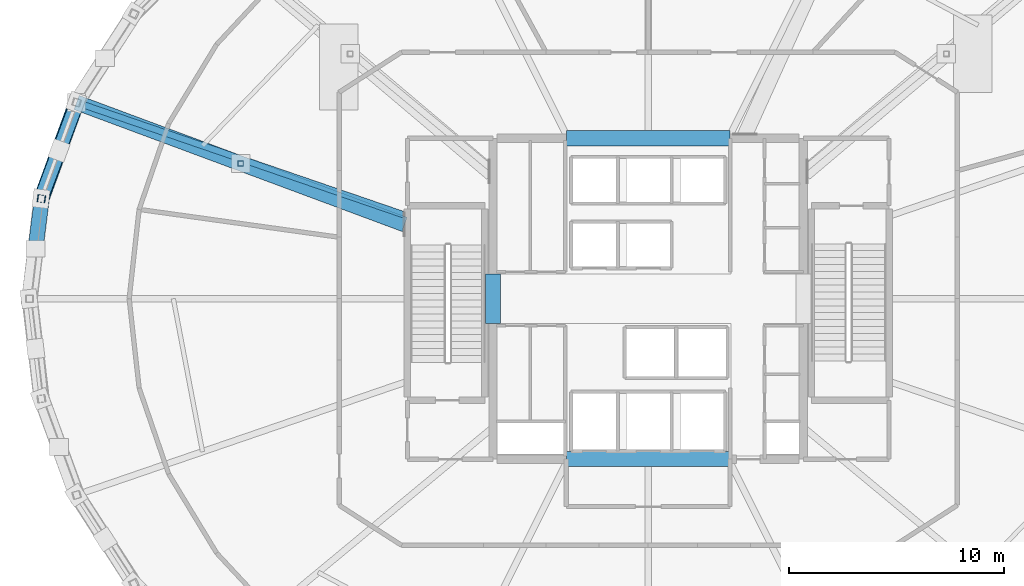
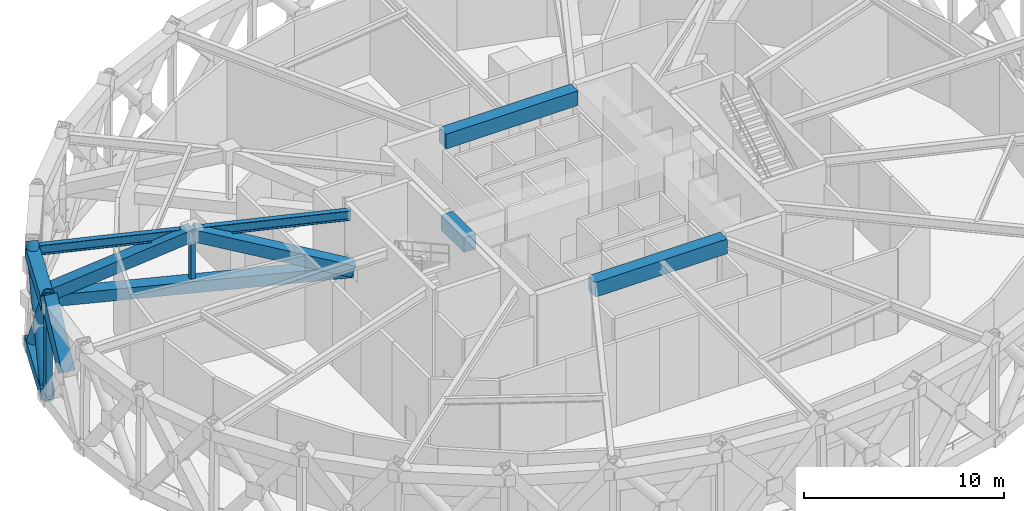
# One storey, part 2 of 15: 8 members, 7 beams.
"""IFC4 building model written with IfcOpenShell, lengths in metres."""

from ifc_helpers import new_model, si_unit, direction, frame, origin, origin_2d, place, context, subcontext, project, spatial, rectangle, hollow_rectangle, hollow_circle, i_section, extrude, material, material_profile, profile_set, type_object, element, save


model = new_model("IFC4")

# Units and contexts
model_context = context("Model", 3, precision=1e-05, world=origin(), true_north=direction((0.0, 1.0)))
body_context = subcontext(model_context, "Body", "Model", "MODEL_VIEW")
ifc_project = project(units=[si_unit("LENGTHUNIT", "METRE"), si_unit("AREAUNIT", "SQUARE_METRE"), si_unit("VOLUMEUNIT", "CUBIC_METRE"), si_unit("PLANEANGLEUNIT", "RADIAN"), si_unit("MASSUNIT", "GRAM", prefix="KILO")], contexts=[model_context])

# Site, building, storey
site_placement = place(None, origin())
site = spatial("IfcSite", under=ifc_project, at=site_placement, CompositionType="ELEMENT")
building_placement = place(site_placement, origin())
building = spatial("IfcBuilding", under=site, at=building_placement, Name="Veldorina Hangang Commons", CompositionType="ELEMENT")
storey_placement = place(building_placement, frame((0.0, 0.0, 110.800048828125)))
storey = spatial("IfcBuildingStorey", under=building, at=storey_placement, Name="L28", CompositionType="ELEMENT", Elevation=110.800048828125)

# Beams
ifc_material_1 = material(Name="Steel SM460-TMC", Category="steel")
ifc_material_profile_1 = material_profile(ifc_material_1, hollow_rectangle(XDim=0.699951171875, YDim=0.699951171875, WallThickness=0.034912109375, at=origin_2d()), Name="BOX-700x700x35")
ifc_profile_set_1 = profile_set([ifc_material_profile_1], Name="Steel SM460-TMC")
beam_type_1 = type_object("IfcBeamType", Name="BM-BLT700", PredefinedType="BEAM", material=ifc_profile_set_1)
beam_1_placement = place(storey_placement, frame((5.475341796875, 33.106689453125, 5.800048828125), z_axis=(-0.343688691321, -0.939083640289, 0.0), x_axis=(0.939083640289, -0.343688691321, 0.0)))
element("IfcBeam", 1, at=beam_1_placement, inside=storey, type_object=beam_type_1, Name="L28 perimeter hoop ring beam 14", PredefinedType="BEAM", context=body_context, shape_type="SweptSolid", body=[
    extrude(hollow_rectangle(XDim=0.699951171875, YDim=0.699951171875, WallThickness=0.034912109375, at=origin_2d()), origin(), (0.0, 0.0, 1.0), 4.753662109375),
])
beam_2_placement = place(storey_placement, frame((5.44287109375, 33.1162109375, 0.349853515625), z_axis=(-0.343736030444, -0.939066313619, 0.0), x_axis=(0.939066313619, -0.343736030444, 0.0)))
element("IfcBeam", 2, at=beam_2_placement, inside=storey, type_object=beam_type_1, Name="L28 perimeter belt truss bottom chord 14", PredefinedType="BEAM", context=body_context, shape_type="SweptSolid", body=[
    extrude(hollow_rectangle(XDim=0.699951171875, YDim=0.699951171875, WallThickness=0.034912109375, at=origin_2d()), origin(), (0.0, 0.0, 1.0), 4.7587890625),
])
beam_3_placement = place(storey_placement, frame((20.68994140625, 27.449951171875, 2.849853515625), z_axis=(-0.937338512081, 0.348420024927, 0.0), x_axis=(-0.348420024927, -0.937338512081, 0.0)))
element("IfcBeam", 3, at=beam_3_placement, inside=storey, type_object=beam_type_1, Name="L28 outrigger chord 04", PredefinedType="BEAM", context=body_context, shape_type="SweptSolid", body=[
    extrude(hollow_rectangle(XDim=0.699951171875, YDim=0.699951171875, WallThickness=0.034912109375, at=origin_2d()), origin(), (0.0, 0.0, 1.0), 16.24951171875),
])
ifc_material_2 = material(Name="Concrete C70/85", Category="concrete")
ifc_material_profile_2 = material_profile(ifc_material_2, rectangle(XDim=0.699951171875, YDim=0.89990234375, at=origin_2d()), Name="RC-CB-700x900")
ifc_profile_set_2 = profile_set([ifc_material_profile_2], Name="Concrete C70/85")
beam_type_2 = type_object("IfcBeamType", Name="BM-CB900", PredefinedType="LINTEL", material=ifc_profile_set_2)
beam_4_placement = place(storey_placement, frame((24.800048828125, 22.85009765625, 5.699951171875), z_axis=(0.0, 1.0, 0.0), x_axis=(-1.0, 0.0, 0.0)))
element("IfcBeam", 4, at=beam_4_placement, inside=storey, type_object=beam_type_2, Name="L28 W core coupling lintel beam", PredefinedType="LINTEL", context=body_context, shape_type="SweptSolid", body=[
    extrude(rectangle(XDim=0.699951171875, YDim=0.89990234375, at=origin_2d()), origin(), (0.0, 0.0, 1.0), 2.2998046875),
])
for number, where, z_axis, x_axis, name in (
    (5, (28.199951171875, 16.550048828125, 5.699951171875), (1.0, 0.0, 0.0), (0.0, 1.0, 0.0), "L28 south core coupling beam"),
    (6, (28.199951171875, 31.449951171875, 5.699951171875), (1.0, 0.0, 0.0), (0.0, 1.0, 0.0), "L28 north core coupling beam"),
):
    element("IfcBeam", number, at=place(storey_placement, frame(where, z_axis=z_axis, x_axis=x_axis)), inside=storey, type_object=beam_type_2, Name=name, PredefinedType="LINTEL", context=body_context, shape_type="SweptSolid", body=[
        extrude(rectangle(XDim=0.699951171875, YDim=0.89990234375, at=origin_2d()), origin(), (0.0, 0.0, 1.0), 7.60009765625),
    ])
ifc_material_profile_3 = material_profile(ifc_material_1, i_section(OverallWidth=0.300048828125, OverallDepth=0.587890625, WebThickness=0.011962890625, FlangeThickness=0.02001953125, FilletRadius=0.01806640625, at=origin_2d()), Name="H-588x300x12x20")
ifc_profile_set_3 = profile_set([ifc_material_profile_3], Name="Steel SM460-TMC")
beam_type_3 = type_object("IfcBeamType", Name="BM-FG588", PredefinedType="BEAM", material=ifc_profile_set_3)
beam_5_placement = place(storey_placement, frame((20.820068359375, 27.83837890625, 5.85595703125), z_axis=(-0.945808547847, 0.324724792433, 0.0), x_axis=(-0.324724792433, -0.945808547847, 0.0)))
element("IfcBeam", 7, at=beam_5_placement, inside=storey, type_object=beam_type_3, Name="L28 radial floor girder 08", PredefinedType="BEAM", context=body_context, shape_type="SweptSolid", body=[
    extrude(i_section(OverallWidth=0.300048828125, OverallDepth=0.587890625, WebThickness=0.011962890625, FlangeThickness=0.02001953125, FilletRadius=0.01806640625, at=origin_2d()), origin(), (0.0, 0.0, 1.0), 16.223876953125),
])

# Members
ifc_material_profile_4 = material_profile(ifc_material_1, hollow_circle(Radius=0.324951171875, WallThickness=0.031982421875, at=origin_2d()), Name="CHS-650x32")
ifc_profile_set_4 = profile_set([ifc_material_profile_4], Name="Steel SM460-TMC")
member_type_1 = type_object("IfcMemberType", Name="DG-CHS650", PredefinedType="BRACE", material=ifc_profile_set_4)
member_1_placement = place(storey_placement, frame((5.44287109375, 33.1162109375, 0.0), z_axis=(-0.200445948068, -0.56133441997, 0.802947751015), x_axis=(0.941758187609, -0.336290820676, 0.0)))
element("IfcMember", 8, at=member_1_placement, inside=storey, type_object=member_type_1, Name="L28 continuous perimeter diagrid brace 14", PredefinedType="BRACE", context=body_context, shape_type="SweptSolid", body=[
    extrude(hollow_circle(Radius=0.324951171875, WallThickness=0.031982421875, at=origin_2d()), origin(), (0.0, 0.0, 1.0), 7.970458984375),
])
member_2_placement = place(storey_placement, frame((3.80712890625, 28.6474609375, 0.0), z_axis=(0.209603943451, 0.558882668833, 0.802319356221), x_axis=(-0.936316540259, 0.351157139237, 0.0)))
element("IfcMember", 9, at=member_2_placement, inside=storey, type_object=member_type_1, Name="L28 split perimeter diagrid lower brace 15", PredefinedType="BRACE", context=body_context, shape_type="SweptSolid", body=[
    extrude(hollow_circle(Radius=0.324951171875, WallThickness=0.031982421875, at=origin_2d()), origin(), (0.0, 0.0, 1.0), 3.990478515625),
])
member_3_placement = place(storey_placement, frame((4.6435546875, 30.877685546875, 3.20166015625), z_axis=(0.209519934611, 0.558923976399, 0.80231252365), x_axis=(-0.93637133717, 0.351010995448, 0.0)))
element("IfcMember", 10, at=member_3_placement, inside=storey, type_object=member_type_1, Name="L28 split perimeter diagrid upper brace 15", PredefinedType="BRACE", context=body_context, shape_type="SweptSolid", body=[
    extrude(hollow_circle(Radius=0.324951171875, WallThickness=0.031982421875, at=origin_2d()), origin(), (0.0, 0.0, 1.0), 3.986328125),
])
ifc_material_profile_5 = material_profile(ifc_material_1, hollow_rectangle(XDim=0.699951171875, YDim=0.699951171875, WallThickness=0.034912109375, at=origin_2d()), Name="BOX-700x700x35")
ifc_profile_set_5 = profile_set([ifc_material_profile_5], Name="Steel SM460-TMC")
member_type_2 = type_object("IfcMemberType", Name="OR-BOX700", PredefinedType="BRACE", material=ifc_profile_set_5)
member_4_placement = place(storey_placement, frame((3.55029296875, 26.322509765625, 3.20166015625), z_axis=(0.074440614467, 0.585480362622, 0.807261630391), x_axis=(-0.992013833887, 0.126129113918, 0.0)))
element("IfcMember", 11, at=member_4_placement, inside=storey, type_object=member_type_2, Name="L28 belt truss split upper brace 16", PredefinedType="BRACE", context=body_context, shape_type="SweptSolid", body=[
    extrude(hollow_rectangle(XDim=0.699951171875, YDim=0.699951171875, WallThickness=0.034912109375, at=origin_2d()), origin(), (0.0, 0.0, 1.0), 3.9619140625),
])
member_5_placement = place(storey_placement, frame((20.68994140625, 27.449951171875, 2.849853515625), z_axis=(-0.87394391827, 0.324860697347, 0.361507337461), x_axis=(-0.348424931832, -0.93733668811, 0.0)))
element("IfcMember", 12, at=member_5_placement, inside=storey, type_object=member_type_2, Name="L28 outrigger inner web diagonal 04", PredefinedType="BRACE", context=body_context, shape_type="SweptSolid", body=[
    extrude(hollow_rectangle(XDim=0.699951171875, YDim=0.699951171875, WallThickness=0.034912109375, at=origin_2d()), origin(), (0.0, 0.0, 1.0), 8.7138671875),
])
member_6_placement = place(storey_placement, frame((13.074462890625, 30.28076171875, 6.0), z_axis=(-0.873950536332, 0.324852743116, -0.361498485936), x_axis=(-0.348415118151, -0.937340335974, 0.0)))
element("IfcMember", 13, at=member_6_placement, inside=storey, type_object=member_type_2, Name="L28 outrigger outer web diagonal 04", PredefinedType="BRACE", context=body_context, shape_type="SweptSolid", body=[
    extrude(hollow_rectangle(XDim=0.699951171875, YDim=0.699951171875, WallThickness=0.034912109375, at=origin_2d()), origin(), (0.0, 0.0, 1.0), 8.714111328125),
])
ifc_material_3 = material(Name="Steel SM355-TMC", Category="steel")
ifc_material_profile_6 = material_profile(ifc_material_3, hollow_rectangle(XDim=0.25, YDim=0.25, WallThickness=0.011962890625, at=origin_2d()), Name="SHS-250x250x12")
ifc_profile_set_6 = profile_set([ifc_material_profile_6], Name="Steel SM355-TMC")
member_type_3 = type_object("IfcMemberType", Name="STR-SHS250", PredefinedType="STRUT", material=ifc_profile_set_6)
member_7_placement = place(storey_placement, frame((13.074462890625, 30.28076171875, 2.849853515625), z_axis=(0.0, 0.0, 1.0), x_axis=(1.0, 0.0, 0.0)))
element("IfcMember", 14, at=member_7_placement, inside=storey, type_object=member_type_3, Name="L28 outrigger mid vertical strut 04", PredefinedType="STRUT", context=body_context, shape_type="SweptSolid", body=[
    extrude(hollow_rectangle(XDim=0.25, YDim=0.25, WallThickness=0.011962890625, at=origin_2d()), origin(), (0.0, 0.0, 1.0), 3.150146484375),
])
ifc_material_profile_7 = material_profile(ifc_material_3, hollow_rectangle(XDim=0.35009765625, YDim=0.35009765625, WallThickness=0.01611328125, at=origin_2d()), Name="SHS-350x350x16")
ifc_profile_set_7 = profile_set([ifc_material_profile_7], Name="Steel SM355-TMC")
member_type_4 = type_object("IfcMemberType", Name="STR-SHS350", PredefinedType="STRUT", material=ifc_profile_set_7)
member_8_placement = place(storey_placement, frame((3.80712890625, 28.6474609375, 0.0), z_axis=(0.00595091107, -0.000839231048, 0.999981941011), x_axis=(0.139643843047, 0.99020179615, 0.0)))
element("IfcMember", 15, at=member_8_placement, inside=storey, type_object=member_type_4, Name="L28 perimeter ring node post 15", PredefinedType="STRUT", context=body_context, shape_type="SweptSolid", body=[
    extrude(hollow_rectangle(XDim=0.35009765625, YDim=0.35009765625, WallThickness=0.01611328125, at=origin_2d()), origin(), (0.0, 0.0, 1.0), 6.39990234375),
])

save(model, "model.ifc")
